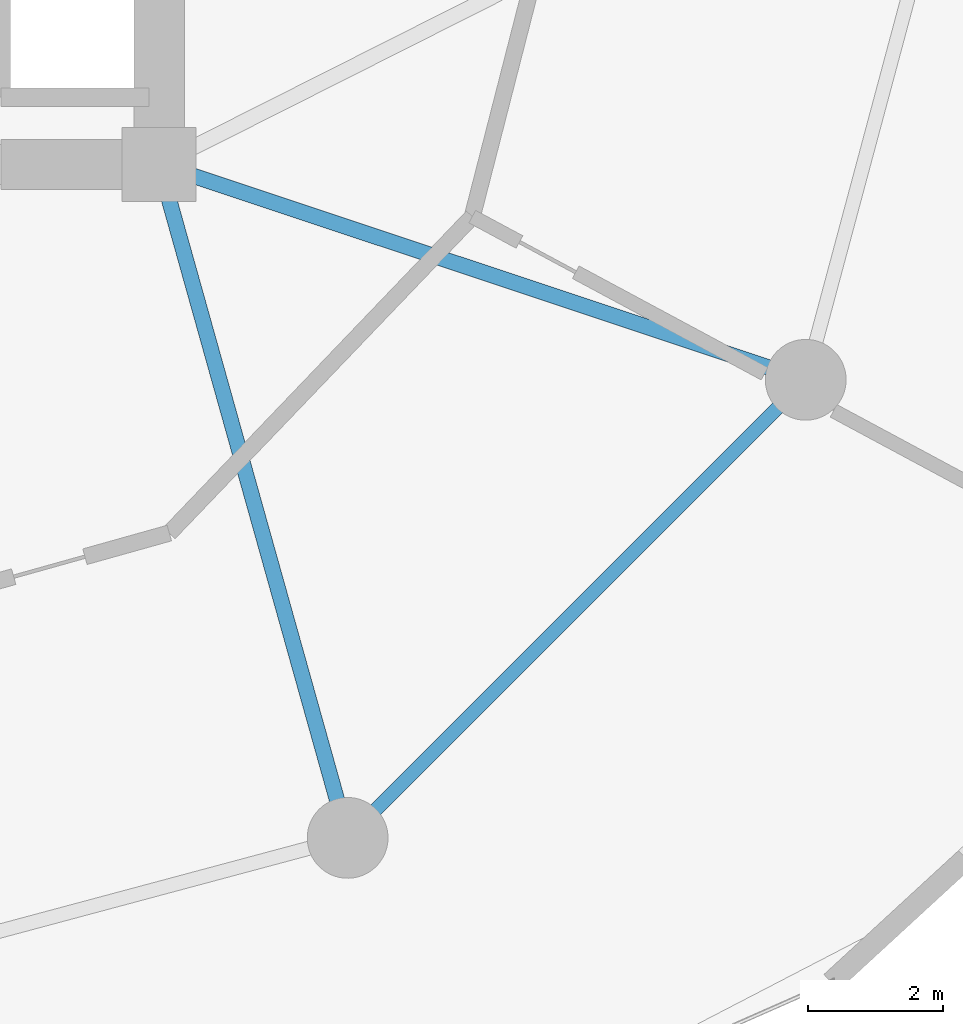
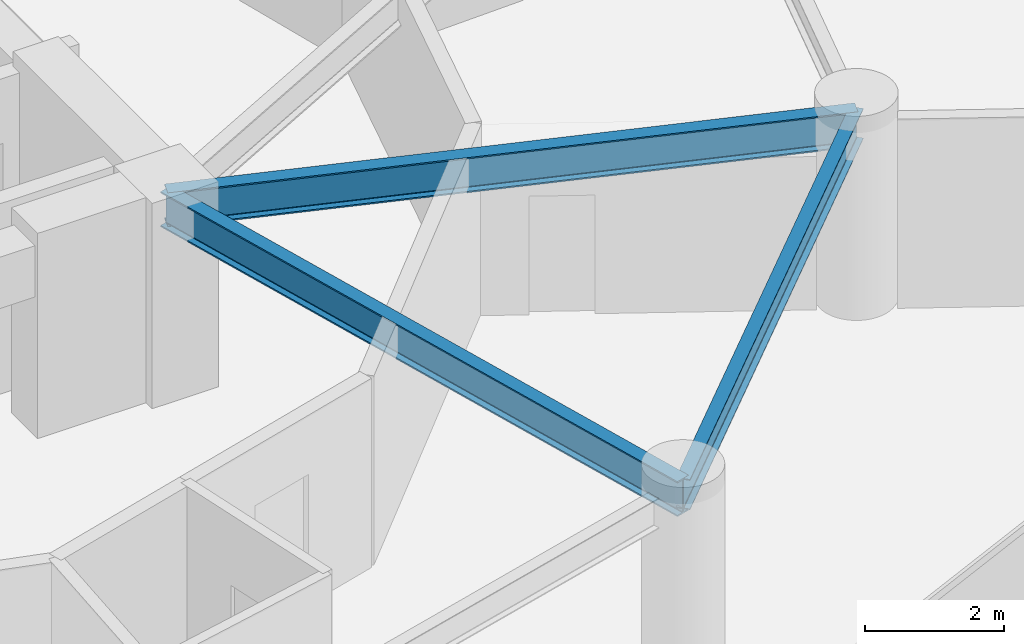
# One storey, part 11 of 25: 3 beams.
"""IFC4 building model written with IfcOpenShell, lengths in metres."""

from ifc_helpers import new_model, si_unit, direction, frame, origin, origin_2d, place, context, subcontext, project, spatial, i_section, extrude, material, material_profile, profile_set, type_object, element, save


model = new_model("IFC4")

# Units and contexts
model_context = context("Model", 3, precision=1e-05, world=origin(), true_north=direction((0.0, 1.0)))
body_context = subcontext(model_context, "Body", "Model", "MODEL_VIEW")
ifc_project = project(units=[si_unit("LENGTHUNIT", "METRE"), si_unit("AREAUNIT", "SQUARE_METRE"), si_unit("VOLUMEUNIT", "CUBIC_METRE"), si_unit("PLANEANGLEUNIT", "RADIAN"), si_unit("MASSUNIT", "GRAM", prefix="KILO")], contexts=[model_context])

# Site, building, storey
site_placement = place(None, origin())
site = spatial("IfcSite", under=ifc_project, at=site_placement, CompositionType="ELEMENT")
building_placement = place(site_placement, origin())
building = spatial("IfcBuilding", under=site, at=building_placement, Name="Solvirekh Grand Hotel", CompositionType="ELEMENT")
storey_placement = place(building_placement, frame((0.0, 0.0, 60.800048828125)))
storey = spatial("IfcBuildingStorey", under=building, at=storey_placement, Name="L14", CompositionType="ELEMENT", Elevation=60.800048828125)

# Beams
ifc_material = material(Name="Steel S355", Category="steel")
ifc_material_profile_1 = material_profile(ifc_material, i_section(OverallWidth=0.22998046875, OverallDepth=0.615966796875, WebThickness=0.013916015625, FlangeThickness=0.02392578125, FilletRadius=0.014892578125, at=origin_2d()), Name="W610X174")
ifc_profile_set_1 = profile_set([ifc_material_profile_1], Name="Steel S355")
beam_type_1 = type_object("IfcBeamType", Name="Beam_Primary_W610H", PredefinedType="BEAM", material=ifc_profile_set_1)
beam_1_placement = place(storey_placement, frame((6.5, -6.10009765625, 3.031982421875), z_axis=(0.269439084681, -0.963017434757, 0.0), x_axis=(0.963017434757, 0.269439084681, 0.0)))
element("IfcBeam", 1, at=beam_1_placement, inside=storey, type_object=beam_type_1, Name="L14 radial floor beam R11", PredefinedType="BEAM", context=body_context, shape_type="SweptSolid", body=[
    extrude(i_section(OverallWidth=0.22998046875, OverallDepth=0.615966796875, WebThickness=0.013916015625, FlangeThickness=0.02392578125, FilletRadius=0.014892578125, at=origin_2d()), origin(), (0.0, 0.0, 1.0), 10.39208984375),
])
beam_2_placement = place(storey_placement, frame((6.5, -6.10009765625, 3.031982421875), z_axis=(0.948762825819, -0.315989082635, 0.0), x_axis=(0.315989082635, 0.948762825819, 0.0)))
element("IfcBeam", 2, at=beam_2_placement, inside=storey, type_object=beam_type_1, Name="L14 radial floor beam R12", PredefinedType="BEAM", context=body_context, shape_type="SweptSolid", body=[
    extrude(i_section(OverallWidth=0.22998046875, OverallDepth=0.615966796875, WebThickness=0.013916015625, FlangeThickness=0.02392578125, FilletRadius=0.014892578125, at=origin_2d()), origin(), (0.0, 0.0, 1.0), 10.126708984375),
])
ifc_material_profile_2 = material_profile(ifc_material, i_section(OverallWidth=0.208984375, OverallDepth=0.532958984375, WebThickness=0.010009765625, FlangeThickness=0.014892578125, FilletRadius=0.013916015625, at=origin_2d()), Name="W530X92")
ifc_profile_set_2 = profile_set([ifc_material_profile_2], Name="Steel S355")
beam_type_2 = type_object("IfcBeamType", Name="Spandrel_Ring_W530", PredefinedType="SPANDREL", material=ifc_profile_set_2)
beam_3_placement = place(storey_placement, frame((9.300048828125, -16.10791015625, 3.072998046875), z_axis=(0.707106781187, 0.707106781187, 0.0), x_axis=(-0.707106781187, 0.707106781187, 0.0)))
element("IfcBeam", 3, at=beam_3_placement, inside=storey, type_object=beam_type_2, Name="L14 perimeter spandrel beam 11", PredefinedType="SPANDREL", context=body_context, shape_type="SweptSolid", body=[
    extrude(i_section(OverallWidth=0.208984375, OverallDepth=0.532958984375, WebThickness=0.010009765625, FlangeThickness=0.014892578125, FilletRadius=0.013916015625, at=origin_2d()), origin(), (0.0, 0.0, 1.0), 9.627685546875),
])

save(model, "model.ifc")
